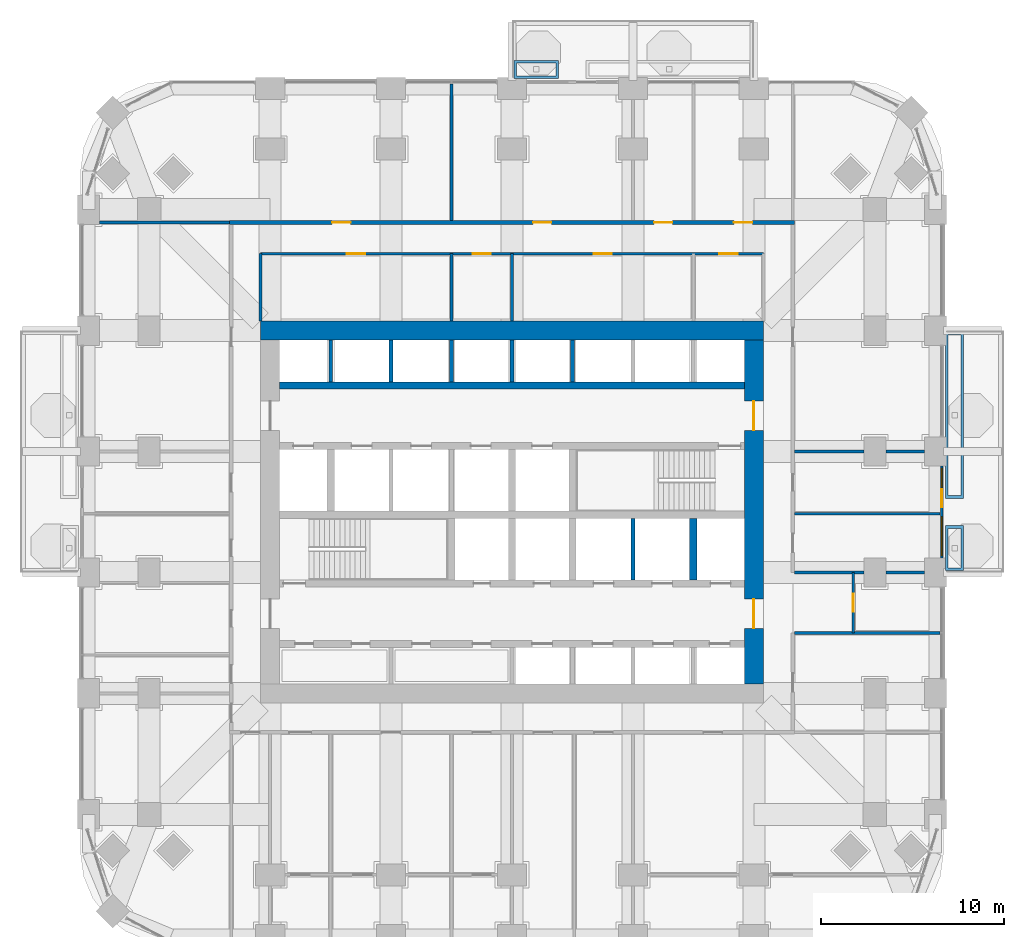
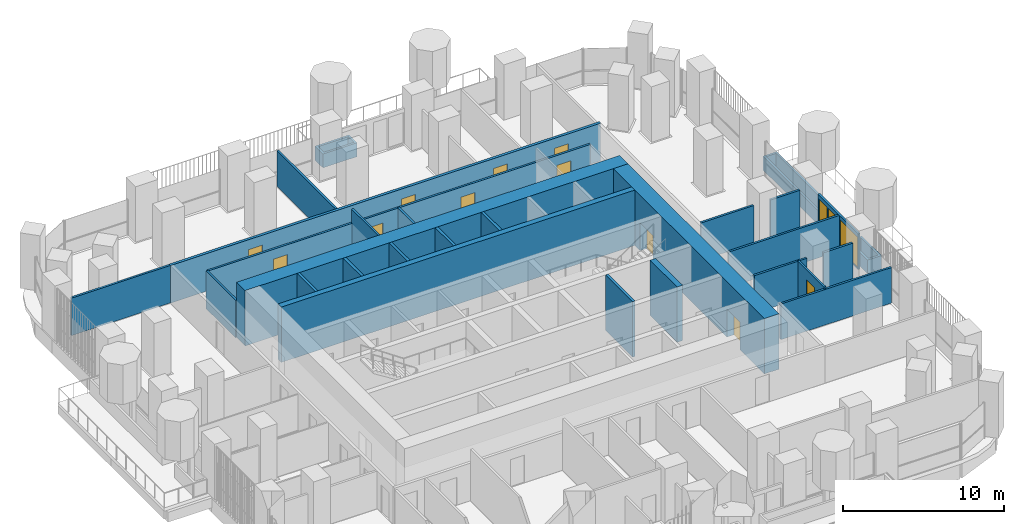
# One storey, part 16 of 22: 28 walls, 12 doors, 2 windows, 14 openings.
"""IFC4 building model written with IfcOpenShell, lengths in metres."""

from ifc_helpers import new_model, si_unit, direction, frame, frame_2d, origin, place, context, subcontext, project, spatial, polyline, rectangle, outline, extrude, material, layer, layer_set, type_object, element, fill, save


model = new_model("IFC4")

# Units and contexts
model_context = context("Model", 3, precision=1e-05, world=origin(), true_north=direction((0.0, 1.0)))
body_context = subcontext(model_context, "Body", "Model", "MODEL_VIEW")
ifc_project = project(units=[si_unit("LENGTHUNIT", "METRE"), si_unit("AREAUNIT", "SQUARE_METRE"), si_unit("VOLUMEUNIT", "CUBIC_METRE"), si_unit("PLANEANGLEUNIT", "RADIAN"), si_unit("MASSUNIT", "GRAM", prefix="KILO")], contexts=[model_context])

# Site, building, storey
site_placement = place(None, origin())
site = spatial("IfcSite", under=ifc_project, at=site_placement, CompositionType="ELEMENT")
building_placement = place(site_placement, origin())
building = spatial("IfcBuilding", under=site, at=building_placement, Name="Cobogo Forest Laboratory Tower", CompositionType="ELEMENT")
storey_placement = place(building_placement, frame((0.0, 0.0, 94.800048828125)))
storey = spatial("IfcBuildingStorey", under=building, at=storey_placement, Name="L21", CompositionType="ELEMENT", Elevation=94.800048828125)

# Walls
ifc_material_1 = material(Name="Concrete HA-50 (C50/60)", Category="concrete")
ifc_layer_1 = layer(ifc_material_1, 0.39990234375)
ifc_layer_set_1 = layer_set([ifc_layer_1], Name="CI400 core inner wall 400")
wall_type_1 = type_object("IfcWallType", Name="CI400 core inner wall 400", PredefinedType="SHEAR", material=ifc_layer_set_1)
wall_1_placement = place(storey_placement, frame((13.72509765625, 30.0, 0.0), z_axis=(0.0, 0.0, 1.0), x_axis=(1.0, 0.0, 0.0)))
element("IfcWall", 1, at=wall_1_placement, inside=storey, type_object=wall_type_1, Name="Core wall CI-30.0 L21", PredefinedType="SHEAR", context=body_context, shape_type="SweptSolid", body=[
    extrude(rectangle(XDim=25.349853515625, YDim=0.39990234375, at=frame_2d((12.6748046875, 0.0))), origin(), (0.0, 0.0, 1.0), 4.199951171875),
])
wall_2_placement = place(storey_placement, frame((36.300048828125, 19.39990234375, 0.0), z_axis=(0.0, 0.0, 1.0), x_axis=(0.0, 1.0, 0.0)))
element("IfcWall", 2, at=wall_2_placement, inside=storey, type_object=wall_type_1, Name="Core wall CX-36.3 L21", PredefinedType="SHEAR", context=body_context, shape_type="SweptSolid", body=[
    extrude(rectangle(XDim=3.35009765625, YDim=0.39990234375, at=frame_2d((1.675048828125, 0.0))), origin(), (0.0, 0.0, 1.0), 4.199951171875),
])

# Wall, openings, doors
ifc_layer_2 = layer(ifc_material_1, 1.050048828125)
ifc_layer_set_2 = layer_set([ifc_layer_2], Name="CW1050 core outer wall 1050")
wall_type_2 = type_object("IfcWallType", Name="CW1050 core outer wall 1050", PredefinedType="SHEAR", material=ifc_layer_set_2)
wall_3_placement = place(storey_placement, frame((39.60009765625, 13.72509765625, 0.0), z_axis=(0.0, 0.0, 1.0), x_axis=(0.0, 1.0, 0.0)))
wall_3 = element("IfcWall", 3, at=wall_3_placement, inside=storey, type_object=wall_type_2, Name="Core wall CO-E L21", PredefinedType="SHEAR", context=body_context, shape_type="SweptSolid", body=[
    extrude(rectangle(XDim=18.75, YDim=1.050048828125, at=frame_2d((9.375, 0.0))), origin(), (0.0, 0.0, 1.0), 4.199951171875),
])
opening_1_placement = place(wall_3_placement, frame((3.02490234375, 0.0, 0.0)))
opening_1 = element("IfcOpeningElement", 4, at=opening_1_placement, cuts=wall_3, Name="Opening L21-D22", PredefinedType="OPENING", context=body_context, shape_type="SweptSolid", body=[
    extrude(rectangle(XDim=1.60009765625, YDim=2.10009765625, at=frame_2d((0.800048828125, 1.050048828125))), frame((0.0, 0.534912109375, 0.0), z_axis=(0.0, -1.0, 0.0), x_axis=(1.0, 0.0, 0.0)), (0.0, 0.0, 1.0), 1.070068359375),
])
opening_2_placement = place(wall_3_placement, frame((13.824951171875, 0.0, 0.0)))
opening_2 = element("IfcOpeningElement", 5, at=opening_2_placement, cuts=wall_3, Name="Opening L21-D35", PredefinedType="OPENING", context=body_context, shape_type="SweptSolid", body=[
    extrude(rectangle(XDim=1.60009765625, YDim=2.10009765625, at=frame_2d((0.800048828125, 1.050048828125))), frame((0.0, 0.534912109375, 0.0), z_axis=(0.0, -1.0, 0.0), x_axis=(1.0, 0.0, 0.0)), (0.0, 0.0, 1.0), 1.070068359375),
])
ifc_material_2 = material(Name="Steel fire door", Category="steel")
door_type_1 = type_object("IfcDoorType", Name="DS2 protected lobby door pair 1600 EI2 60", OperationType="DOUBLE_DOOR_DOUBLE_SWING", PredefinedType="DOOR", material=ifc_material_2)
door_1_placement = place(opening_1_placement, origin())
door_1 = element("IfcDoor", 6, at=door_1_placement, inside=storey, type_object=door_type_1, Name="Door L21-CO-E-S", OperationType="DOUBLE_DOOR_DOUBLE_SWING", OverallHeight=2.10009765625, OverallWidth=1.60009765625, PredefinedType="DOOR", context=body_context, shape_type="SweptSolid", body=[
    extrude(rectangle(XDim=1.60009765625, YDim=2.10009765625, at=frame_2d((0.800048828125, 1.050048828125))), frame((0.0, 0.02490234375, 0.0), z_axis=(0.0, -1.0, 0.0), x_axis=(1.0, 0.0, 0.0)), (0.0, 0.0, 1.0), 0.050048828125),
])
fill(opening_1, door_1)
door_2_placement = place(opening_2_placement, origin())
door_2 = element("IfcDoor", 7, at=door_2_placement, inside=storey, type_object=door_type_1, Name="Door L21-CO-E-N", OperationType="DOUBLE_DOOR_DOUBLE_SWING", OverallHeight=2.10009765625, OverallWidth=1.60009765625, PredefinedType="DOOR", context=body_context, shape_type="SweptSolid", body=[
    extrude(rectangle(XDim=1.60009765625, YDim=2.10009765625, at=frame_2d((0.800048828125, 1.050048828125))), frame((0.0, 0.02490234375, 0.0), z_axis=(0.0, -1.0, 0.0), x_axis=(1.0, 0.0, 0.0)), (0.0, 0.0, 1.0), 0.050048828125),
])
fill(opening_2, door_2)

# Wall
wall_4_placement = place(storey_placement, frame((40.125, 33.0, 0.0), z_axis=(0.0, 0.0, 1.0), x_axis=(-1.0, 0.0, 0.0)))
element("IfcWall", 8, at=wall_4_placement, inside=storey, type_object=wall_type_2, Name="Core wall CO-N L21", PredefinedType="SHEAR", context=body_context, shape_type="SweptSolid", body=[
    extrude(rectangle(XDim=27.449951171875, YDim=1.050048828125, at=frame_2d((13.72509765625, 0.0))), origin(), (0.0, 0.0, 1.0), 4.199951171875),
])

# Wall, openings, door, windows
ifc_material_3 = material(Name="Aluminium framed glazed screen", Category="aluminium")
ifc_layer_3 = layer(ifc_material_3, 0.14990234375)
ifc_layer_set_3 = layer_set([ifc_layer_3], Name="GS1 glazed door screen 150")
wall_type_3 = type_object("IfcWallType", Name="GS1 glazed door screen 150", PredefinedType="SOLIDWALL", material=ifc_layer_set_3)
wall_5_placement = place(storey_placement, frame((49.85009765625, 20.60009765625, 0.0), z_axis=(0.0, 0.0, 1.0), x_axis=(0.0, 1.0, 0.0)))
wall_5 = element("IfcWall", 9, at=wall_5_placement, inside=storey, type_object=wall_type_3, Name="Door screen BAL-E1 L21", PredefinedType="SOLIDWALL", context=body_context, shape_type="SweptSolid", body=[
    extrude(rectangle(XDim=5.0, YDim=0.14990234375, at=frame_2d((2.5, 0.0))), origin(), (0.0, 0.0, 1.0), 2.699951171875),
])
opening_3_placement = place(wall_5_placement, frame((2.75, 0.0, 0.0)))
opening_3 = element("IfcOpeningElement", 10, at=opening_3_placement, cuts=wall_5, Name="Opening L21-D30", PredefinedType="OPENING", context=body_context, shape_type="SweptSolid", body=[
    extrude(rectangle(XDim=1.0, YDim=2.39990234375, at=frame_2d((0.5, 1.199951171875))), frame((0.0, 0.0849609375, 0.0), z_axis=(0.0, -1.0, 0.0), x_axis=(1.0, 0.0, 0.0)), (0.0, 0.0, 1.0), 0.169921875),
])
opening_4_placement = place(wall_5_placement, frame((0.10009765625, 0.0, 0.10009765625)))
opening_4 = element("IfcOpeningElement", 11, at=opening_4_placement, cuts=wall_5, Name="Opening L21-W04", PredefinedType="OPENING", context=body_context, shape_type="SweptSolid", body=[
    extrude(rectangle(XDim=2.14990234375, YDim=2.300048828125, at=frame_2d((1.074951171875, 1.14990234375))), frame((0.0, 0.0849609375, 0.0), z_axis=(0.0, -1.0, 0.0), x_axis=(1.0, 0.0, 0.0)), (0.0, 0.0, 1.0), 0.169921875),
])
opening_5_placement = place(wall_5_placement, frame((3.85009765625, 0.0, 0.10009765625)))
opening_5 = element("IfcOpeningElement", 12, at=opening_5_placement, cuts=wall_5, Name="Opening L21-W06", PredefinedType="OPENING", context=body_context, shape_type="SweptSolid", body=[
    extrude(rectangle(XDim=1.050048828125, YDim=2.300048828125, at=frame_2d((0.52490234375, 1.14990234375))), frame((0.0, 0.0849609375, 0.0), z_axis=(0.0, -1.0, 0.0), x_axis=(1.0, 0.0, 0.0)), (0.0, 0.0, 1.0), 0.169921875),
])
ifc_material_4 = material(Name="Aluminium glazed door", Category="aluminium")
door_type_2 = type_object("IfcDoorType", Name="DB1 balcony door 1000 glazed", OperationType="SINGLE_SWING_LEFT", PredefinedType="DOOR", material=ifc_material_4)
door_3_placement = place(opening_3_placement, origin())
door_3 = element("IfcDoor", 13, at=door_3_placement, inside=storey, type_object=door_type_2, Name="Door L21-BAL-E1", OperationType="SINGLE_SWING_RIGHT", OverallHeight=2.39990234375, OverallWidth=1.0, PredefinedType="DOOR", context=body_context, shape_type="SweptSolid", body=[
    extrude(rectangle(XDim=1.0, YDim=2.39990234375, at=frame_2d((0.5, 1.199951171875))), frame((0.0, 0.02490234375, 0.0), z_axis=(0.0, -1.0, 0.0), x_axis=(1.0, 0.0, 0.0)), (0.0, 0.0, 1.0), 0.050048828125),
])
fill(opening_3, door_3)
ifc_material_5 = material(Name="Aluminium framed glazing", Category="aluminium")
window_type_1 = type_object("IfcWindowType", Name="WG13 fixed glazed light 2150x2300", PartitioningType="SINGLE_PANEL", PredefinedType="WINDOW", material=ifc_material_5)
window_1_placement = place(opening_4_placement, origin())
window_1 = element("IfcWindow", 14, at=window_1_placement, inside=storey, type_object=window_type_1, Name="Window L21-BAL-E1-1", OverallHeight=2.300048828125, OverallWidth=2.14990234375, PartitioningType="SINGLE_PANEL", PredefinedType="WINDOW", context=body_context, shape_type="SweptSolid", body=[
    extrude(rectangle(XDim=2.14990234375, YDim=2.300048828125, at=frame_2d((1.074951171875, 1.14990234375))), frame((0.0, 0.030029296875, 0.0), z_axis=(0.0, -1.0, 0.0), x_axis=(1.0, 0.0, 0.0)), (0.0, 0.0, 1.0), 0.06005859375),
])
fill(opening_4, window_1)
window_type_2 = type_object("IfcWindowType", Name="WG14 fixed glazed light 1050x2300", PartitioningType="SINGLE_PANEL", PredefinedType="WINDOW", material=ifc_material_5)
window_2_placement = place(opening_5_placement, origin())
window_2 = element("IfcWindow", 15, at=window_2_placement, inside=storey, type_object=window_type_2, Name="Window L21-BAL-E1-2", OverallHeight=2.300048828125, OverallWidth=1.050048828125, PartitioningType="SINGLE_PANEL", PredefinedType="WINDOW", context=body_context, shape_type="SweptSolid", body=[
    extrude(rectangle(XDim=1.050048828125, YDim=2.300048828125, at=frame_2d((0.52490234375, 1.14990234375))), frame((0.0, 0.030029296875, 0.0), z_axis=(0.0, -1.0, 0.0), x_axis=(1.0, 0.0, 0.0)), (0.0, 0.0, 1.0), 0.06005859375),
])
fill(opening_5, window_2)

# Wall, openings, doors
ifc_material_6 = material(Name="Gypsum board on steel studs", Category="steel")
ifc_layer_4 = layer(ifc_material_6, 0.14990234375)
ifc_layer_set_4 = layer_set([ifc_layer_4], Name="PT1 laboratory partition 150")
wall_type_4 = type_object("IfcWallType", Name="PT1 laboratory partition 150", PredefinedType="PARTITIONING", material=ifc_layer_set_4)
wall_6_placement = place(storey_placement, frame((12.675048828125, 37.199951171875, 0.0), z_axis=(0.0, 0.0, 1.0), x_axis=(1.0, 0.0, 0.0)))
wall_6 = element("IfcWall", 16, at=wall_6_placement, inside=storey, type_object=wall_type_4, Name="Partition CSTRIP-N L21", PredefinedType="PARTITIONING", context=body_context, shape_type="SweptSolid", body=[
    extrude(rectangle(XDim=27.449951171875, YDim=0.14990234375, at=frame_2d((13.72509765625, 0.0))), origin(), (0.0, 0.0, 1.0), 2.849853515625),
])
opening_6_placement = place(wall_6_placement, frame((4.71240234375, 0.0, 0.0)))
opening_6 = element("IfcOpeningElement", 17, at=opening_6_placement, cuts=wall_6, Name="Opening L21-D38", PredefinedType="OPENING", context=body_context, shape_type="SweptSolid", body=[
    extrude(rectangle(XDim=1.0, YDim=2.10009765625, at=frame_2d((0.5, 1.050048828125))), frame((0.0, 0.0849609375, 0.0), z_axis=(0.0, -1.0, 0.0), x_axis=(1.0, 0.0, 0.0)), (0.0, 0.0, 1.0), 0.169921875),
])
opening_7_placement = place(wall_6_placement, frame((11.574951171875, 0.0, 0.0)))
opening_7 = element("IfcOpeningElement", 18, at=opening_7_placement, cuts=wall_6, Name="Opening L21-D39", PredefinedType="OPENING", context=body_context, shape_type="SweptSolid", body=[
    extrude(rectangle(XDim=1.0, YDim=2.10009765625, at=frame_2d((0.5, 1.050048828125))), frame((0.0, 0.0849609375, 0.0), z_axis=(0.0, -1.0, 0.0), x_axis=(1.0, 0.0, 0.0)), (0.0, 0.0, 1.0), 0.169921875),
])
opening_8_placement = place(wall_6_placement, frame((18.175048828125, 0.0, 0.0)))
opening_8 = element("IfcOpeningElement", 19, at=opening_8_placement, cuts=wall_6, Name="Opening L21-D40", PredefinedType="OPENING", context=body_context, shape_type="SweptSolid", body=[
    extrude(rectangle(XDim=1.0, YDim=2.10009765625, at=frame_2d((0.5, 1.050048828125))), frame((0.0, 0.0849609375, 0.0), z_axis=(0.0, -1.0, 0.0), x_axis=(1.0, 0.0, 0.0)), (0.0, 0.0, 1.0), 0.169921875),
])
opening_9_placement = place(wall_6_placement, frame((25.03759765625, 0.0, 0.0)))
opening_9 = element("IfcOpeningElement", 20, at=opening_9_placement, cuts=wall_6, Name="Opening L21-D41", PredefinedType="OPENING", context=body_context, shape_type="SweptSolid", body=[
    extrude(rectangle(XDim=1.0, YDim=2.10009765625, at=frame_2d((0.5, 1.050048828125))), frame((0.0, 0.0849609375, 0.0), z_axis=(0.0, -1.0, 0.0), x_axis=(1.0, 0.0, 0.0)), (0.0, 0.0, 1.0), 0.169921875),
])
ifc_material_7 = material(Name="Timber fire door", Category="wood")
door_type_3 = type_object("IfcDoorType", Name="FD2 fire door 1000 EI2 30", OperationType="SINGLE_SWING_LEFT", PredefinedType="DOOR", material=ifc_material_7)
door_4_placement = place(opening_6_placement, origin())
door_4 = element("IfcDoor", 21, at=door_4_placement, inside=storey, type_object=door_type_3, Name="Door L21-CSN1", OperationType="SINGLE_SWING_LEFT", OverallHeight=2.10009765625, OverallWidth=1.0, PredefinedType="DOOR", context=body_context, shape_type="SweptSolid", body=[
    extrude(rectangle(XDim=1.0, YDim=2.10009765625, at=frame_2d((0.5, 1.050048828125))), frame((0.0, 0.02490234375, 0.0), z_axis=(0.0, -1.0, 0.0), x_axis=(1.0, 0.0, 0.0)), (0.0, 0.0, 1.0), 0.050048828125),
])
fill(opening_6, door_4)
door_5_placement = place(opening_7_placement, origin())
door_5 = element("IfcDoor", 22, at=door_5_placement, inside=storey, type_object=door_type_3, Name="Door L21-CSN2", OperationType="SINGLE_SWING_LEFT", OverallHeight=2.10009765625, OverallWidth=1.0, PredefinedType="DOOR", context=body_context, shape_type="SweptSolid", body=[
    extrude(rectangle(XDim=1.0, YDim=2.10009765625, at=frame_2d((0.5, 1.050048828125))), frame((0.0, 0.02490234375, 0.0), z_axis=(0.0, -1.0, 0.0), x_axis=(1.0, 0.0, 0.0)), (0.0, 0.0, 1.0), 0.050048828125),
])
fill(opening_7, door_5)
door_6_placement = place(opening_8_placement, origin())
door_6 = element("IfcDoor", 23, at=door_6_placement, inside=storey, type_object=door_type_3, Name="Door L21-CSN3", OperationType="SINGLE_SWING_RIGHT", OverallHeight=2.10009765625, OverallWidth=1.0, PredefinedType="DOOR", context=body_context, shape_type="SweptSolid", body=[
    extrude(rectangle(XDim=1.0, YDim=2.10009765625, at=frame_2d((0.5, 1.050048828125))), frame((0.0, 0.02490234375, 0.0), z_axis=(0.0, -1.0, 0.0), x_axis=(1.0, 0.0, 0.0)), (0.0, 0.0, 1.0), 0.050048828125),
])
fill(opening_8, door_6)
door_7_placement = place(opening_9_placement, origin())
door_7 = element("IfcDoor", 24, at=door_7_placement, inside=storey, type_object=door_type_3, Name="Door L21-CSN4", OperationType="SINGLE_SWING_RIGHT", OverallHeight=2.10009765625, OverallWidth=1.0, PredefinedType="DOOR", context=body_context, shape_type="SweptSolid", body=[
    extrude(rectangle(XDim=1.0, YDim=2.10009765625, at=frame_2d((0.5, 1.050048828125))), frame((0.0, 0.02490234375, 0.0), z_axis=(0.0, -1.0, 0.0), x_axis=(1.0, 0.0, 0.0)), (0.0, 0.0, 1.0), 0.050048828125),
])
fill(opening_9, door_7)

# Walls
wall_7_placement = place(storey_placement, frame((12.675048828125, 33.52490234375, 0.0), z_axis=(0.0, 0.0, 1.0), x_axis=(0.0, 1.0, 0.0)))
element("IfcWall", 25, at=wall_7_placement, inside=storey, type_object=wall_type_4, Name="Partition CSTRIP-NW L21", PredefinedType="PARTITIONING", context=body_context, shape_type="SweptSolid", body=[
    extrude(rectangle(XDim=3.675048828125, YDim=0.14990234375, at=frame_2d((1.83740234375, 0.0))), origin(), (0.0, 0.0, 1.0), 2.849853515625),
])
wall_8_placement = place(storey_placement, frame((23.10009765625, 33.52490234375, 0.0), z_axis=(0.0, 0.0, 1.0), x_axis=(0.0, 1.0, 0.0)))
element("IfcWall", 26, at=wall_8_placement, inside=storey, type_object=wall_type_4, Name="Partition CSTRIP-N23.1 L21", PredefinedType="PARTITIONING", context=body_context, shape_type="SweptSolid", body=[
    extrude(rectangle(XDim=3.675048828125, YDim=0.14990234375, at=frame_2d((1.83740234375, 0.0))), origin(), (0.0, 0.0, 1.0), 3.89990234375),
])
wall_9_placement = place(storey_placement, frame((26.39990234375, 33.52490234375, 0.0), z_axis=(0.0, 0.0, 1.0), x_axis=(0.0, 1.0, 0.0)))
element("IfcWall", 27, at=wall_9_placement, inside=storey, type_object=wall_type_4, Name="Partition CSTRIP-N26.4 L21", PredefinedType="PARTITIONING", context=body_context, shape_type="SweptSolid", body=[
    extrude(rectangle(XDim=3.675048828125, YDim=0.14990234375, at=frame_2d((1.83740234375, 0.0))), origin(), (0.0, 0.0, 1.0), 2.849853515625),
])
wall_10_placement = place(storey_placement, frame((3.89990234375, 38.89990234375, 0.0), z_axis=(0.0, 0.0, 1.0), x_axis=(1.0, 0.0, 0.0)))
element("IfcWall", 28, at=wall_10_placement, inside=storey, type_object=wall_type_4, Name="Partition PW-NW L21", PredefinedType="PARTITIONING", context=body_context, shape_type="SweptSolid", body=[
    extrude(rectangle(XDim=7.0751953125, YDim=0.14990234375, at=frame_2d((3.53759765625, 0.0))), origin(), (0.0, 0.0, 1.0), 2.849853515625),
])

# Wall, opening, door
wall_11_placement = place(storey_placement, frame((45.02490234375, 16.5, 0.0), z_axis=(0.0, 0.0, 1.0), x_axis=(0.0, 1.0, 0.0)))
wall_11 = element("IfcWall", 29, at=wall_11_placement, inside=storey, type_object=wall_type_4, Name="Partition NODE-E-1 L21", PredefinedType="PARTITIONING", context=body_context, shape_type="SweptSolid", body=[
    extrude(rectangle(XDim=3.300048828125, YDim=0.14990234375, at=frame_2d((1.64990234375, 0.0))), origin(), (0.0, 0.0, 1.0), 2.849853515625),
])
opening_10_placement = place(wall_11_placement, frame((1.14990234375, 0.0, 0.0)))
opening_10 = element("IfcOpeningElement", 30, at=opening_10_placement, cuts=wall_11, Name="Opening L21-D23", PredefinedType="OPENING", context=body_context, shape_type="SweptSolid", body=[
    extrude(rectangle(XDim=1.0, YDim=2.10009765625, at=frame_2d((0.5, 1.050048828125))), frame((0.0, 0.0849609375, 0.0), z_axis=(0.0, -1.0, 0.0), x_axis=(1.0, 0.0, 0.0)), (0.0, 0.0, 1.0), 0.169921875),
])
door_8_placement = place(opening_10_placement, origin())
door_8 = element("IfcDoor", 31, at=door_8_placement, inside=storey, type_object=door_type_3, Name="Door L21-E2", OperationType="SINGLE_SWING_LEFT", OverallHeight=2.10009765625, OverallWidth=1.0, PredefinedType="DOOR", context=body_context, shape_type="SweptSolid", body=[
    extrude(rectangle(XDim=1.0, YDim=2.10009765625, at=frame_2d((0.5, 1.050048828125))), frame((0.0, 0.02490234375, 0.0), z_axis=(0.0, -1.0, 0.0), x_axis=(1.0, 0.0, 0.0)), (0.0, 0.0, 1.0), 0.050048828125),
])
fill(opening_10, door_8)

# Walls
wall_12_placement = place(storey_placement, frame((49.77001953125, 23.0, 0.0), z_axis=(0.0, 0.0, 1.0), x_axis=(-1.0, 0.0, 0.0)))
element("IfcWall", 32, at=wall_12_placement, inside=storey, type_object=wall_type_4, Name="Partition SVC-E1-1 L21", PredefinedType="PARTITIONING", context=body_context, shape_type="SweptSolid", body=[
    extrude(rectangle(XDim=7.945068359375, YDim=0.14990234375, at=frame_2d((3.97265625, 0.0))), origin(), (0.0, 0.0, 1.0), 2.699951171875),
])
wall_13_placement = place(storey_placement, frame((48.89990234375, 26.39990234375, 0.0), z_axis=(0.0, 0.0, 1.0), x_axis=(-1.0, 0.0, 0.0)))
element("IfcWall", 33, at=wall_13_placement, inside=storey, type_object=wall_type_4, Name="Partition SVC-E2-1 L21", PredefinedType="PARTITIONING", context=body_context, shape_type="SweptSolid", body=[
    extrude(rectangle(XDim=2.099853515625, YDim=0.14990234375, at=frame_2d((1.0498046875, 0.0))), origin(), (0.0, 0.0, 1.0), 2.849853515625),
])
wall_14_placement = place(storey_placement, frame((45.60009765625, 26.39990234375, 0.0), z_axis=(0.0, 0.0, 1.0), x_axis=(-1.0, 0.0, 0.0)))
element("IfcWall", 34, at=wall_14_placement, inside=storey, type_object=wall_type_4, Name="Partition SVC-E2-2 L21", PredefinedType="PARTITIONING", context=body_context, shape_type="SweptSolid", body=[
    extrude(rectangle(XDim=3.775146484375, YDim=0.14990234375, at=frame_2d((1.8876953125, 0.0))), origin(), (0.0, 0.0, 1.0), 2.849853515625),
])
wall_15_placement = place(storey_placement, frame((49.77001953125, 16.5, 0.0), z_axis=(0.0, 0.0, 1.0), x_axis=(-1.0, 0.0, 0.0)))
element("IfcWall", 35, at=wall_15_placement, inside=storey, type_object=wall_type_4, Name="Partition CUT-E16.5-1 L21", PredefinedType="PARTITIONING", context=body_context, shape_type="SweptSolid", body=[
    extrude(rectangle(XDim=7.945068359375, YDim=0.14990234375, at=frame_2d((3.97265625, 0.0))), origin(), (0.0, 0.0, 1.0), 2.699951171875),
])
wall_16_placement = place(storey_placement, frame((48.89990234375, 19.800048828125, 0.0), z_axis=(0.0, 0.0, 1.0), x_axis=(-1.0, 0.0, 0.0)))
element("IfcWall", 36, at=wall_16_placement, inside=storey, type_object=wall_type_4, Name="Partition CUT-E19.8-1 L21", PredefinedType="PARTITIONING", context=body_context, shape_type="SweptSolid", body=[
    extrude(rectangle(XDim=2.099853515625, YDim=0.14990234375, at=frame_2d((1.0498046875, 0.0))), origin(), (0.0, 0.0, 1.0), 2.849853515625),
])
wall_17_placement = place(storey_placement, frame((45.60009765625, 19.800048828125, 0.0), z_axis=(0.0, 0.0, 1.0), x_axis=(-1.0, 0.0, 0.0)))
element("IfcWall", 37, at=wall_17_placement, inside=storey, type_object=wall_type_4, Name="Partition CUT-E19.8-2 L21", PredefinedType="PARTITIONING", context=body_context, shape_type="SweptSolid", body=[
    extrude(rectangle(XDim=3.775146484375, YDim=0.14990234375, at=frame_2d((1.8876953125, 0.0))), origin(), (0.0, 0.0, 1.0), 2.849853515625),
])
wall_18_placement = place(storey_placement, frame((23.10009765625, 46.469970703125, 0.0), z_axis=(0.0, 0.0, 1.0), x_axis=(0.0, -1.0, 0.0)))
element("IfcWall", 38, at=wall_18_placement, inside=storey, type_object=wall_type_4, Name="Partition CUT-N23.1-1 L21", PredefinedType="PARTITIONING", context=body_context, shape_type="SweptSolid", body=[
    extrude(rectangle(XDim=7.469970703125, YDim=0.14990234375, at=frame_2d((3.73486328125, 0.0))), origin(), (0.0, 0.0, 1.0), 2.699951171875),
])

# Wall, openings, doors
ifc_layer_5 = layer(ifc_material_6, 0.199951171875)
ifc_layer_set_5 = layer_set([ifc_layer_5], Name="PT2 fire-rated corridor partition 200")
wall_type_5 = type_object("IfcWallType", Name="PT2 fire-rated corridor partition 200", PredefinedType="PARTITIONING", material=ifc_layer_set_5)
wall_19_placement = place(storey_placement, frame((10.97509765625, 38.89990234375, 0.0), z_axis=(0.0, 0.0, 1.0), x_axis=(1.0, 0.0, 0.0)))
wall_19 = element("IfcWall", 39, at=wall_19_placement, inside=storey, type_object=wall_type_5, Name="Partition CORR-N L21", PredefinedType="PARTITIONING", context=body_context, shape_type="SweptSolid", body=[
    extrude(rectangle(XDim=30.849853515625, YDim=0.199951171875, at=frame_2d((15.4248046875, 0.0))), origin(), (0.0, 0.0, 1.0), 2.849853515625),
])
opening_11_placement = place(wall_19_placement, frame((5.612548828125, 0.0, 0.0)))
opening_11 = element("IfcOpeningElement", 40, at=opening_11_placement, cuts=wall_19, Name="Opening L21-D42", PredefinedType="OPENING", context=body_context, shape_type="SweptSolid", body=[
    extrude(rectangle(XDim=1.0, YDim=2.10009765625, at=frame_2d((0.5, 1.050048828125))), frame((0.0, 0.10986328125, 0.0), z_axis=(0.0, -1.0, 0.0), x_axis=(1.0, 0.0, 0.0)), (0.0, 0.0, 1.0), 0.219970703125),
])
opening_12_placement = place(wall_19_placement, frame((16.574951171875, 0.0, 0.0)))
opening_12 = element("IfcOpeningElement", 41, at=opening_12_placement, cuts=wall_19, Name="Opening L21-D43", PredefinedType="OPENING", context=body_context, shape_type="SweptSolid", body=[
    extrude(rectangle(XDim=1.0, YDim=2.10009765625, at=frame_2d((0.5, 1.050048828125))), frame((0.0, 0.10986328125, 0.0), z_axis=(0.0, -1.0, 0.0), x_axis=(1.0, 0.0, 0.0)), (0.0, 0.0, 1.0), 0.219970703125),
])
opening_13_placement = place(wall_19_placement, frame((23.175048828125, 0.0, 0.0)))
opening_13 = element("IfcOpeningElement", 42, at=opening_13_placement, cuts=wall_19, Name="Opening L21-D44", PredefinedType="OPENING", context=body_context, shape_type="SweptSolid", body=[
    extrude(rectangle(XDim=1.0, YDim=2.10009765625, at=frame_2d((0.5, 1.050048828125))), frame((0.0, 0.10986328125, 0.0), z_axis=(0.0, -1.0, 0.0), x_axis=(1.0, 0.0, 0.0)), (0.0, 0.0, 1.0), 0.219970703125),
])
opening_14_placement = place(wall_19_placement, frame((27.53759765625, 0.0, 0.0)))
opening_14 = element("IfcOpeningElement", 43, at=opening_14_placement, cuts=wall_19, Name="Opening L21-D45", PredefinedType="OPENING", context=body_context, shape_type="SweptSolid", body=[
    extrude(rectangle(XDim=1.0, YDim=2.10009765625, at=frame_2d((0.5, 1.050048828125))), frame((0.0, 0.10986328125, 0.0), z_axis=(0.0, -1.0, 0.0), x_axis=(1.0, 0.0, 0.0)), (0.0, 0.0, 1.0), 0.219970703125),
])
door_type_4 = type_object("IfcDoorType", Name="FD1 fire door 1000 EI2 60", OperationType="SINGLE_SWING_LEFT", PredefinedType="DOOR", material=ifc_material_2)
door_9_placement = place(opening_13_placement, origin())
door_9 = element("IfcDoor", 44, at=door_9_placement, inside=storey, type_object=door_type_4, Name="Door L21-N3", OperationType="SINGLE_SWING_RIGHT", OverallHeight=2.10009765625, OverallWidth=1.0, PredefinedType="DOOR", context=body_context, shape_type="SweptSolid", body=[
    extrude(rectangle(XDim=1.0, YDim=2.10009765625, at=frame_2d((0.5, 1.050048828125))), frame((0.0, 0.02490234375, 0.0), z_axis=(0.0, -1.0, 0.0), x_axis=(1.0, 0.0, 0.0)), (0.0, 0.0, 1.0), 0.050048828125),
])
fill(opening_13, door_9)
door_10_placement = place(opening_11_placement, origin())
door_10 = element("IfcDoor", 45, at=door_10_placement, inside=storey, type_object=door_type_3, Name="Door L21-N1", OperationType="SINGLE_SWING_LEFT", OverallHeight=2.10009765625, OverallWidth=1.0, PredefinedType="DOOR", context=body_context, shape_type="SweptSolid", body=[
    extrude(rectangle(XDim=1.0, YDim=2.10009765625, at=frame_2d((0.5, 1.050048828125))), frame((0.0, 0.02490234375, 0.0), z_axis=(0.0, -1.0, 0.0), x_axis=(1.0, 0.0, 0.0)), (0.0, 0.0, 1.0), 0.050048828125),
])
fill(opening_11, door_10)
door_11_placement = place(opening_12_placement, origin())
door_11 = element("IfcDoor", 46, at=door_11_placement, inside=storey, type_object=door_type_3, Name="Door L21-N2", OperationType="SINGLE_SWING_RIGHT", OverallHeight=2.10009765625, OverallWidth=1.0, PredefinedType="DOOR", context=body_context, shape_type="SweptSolid", body=[
    extrude(rectangle(XDim=1.0, YDim=2.10009765625, at=frame_2d((0.5, 1.050048828125))), frame((0.0, 0.02490234375, 0.0), z_axis=(0.0, -1.0, 0.0), x_axis=(1.0, 0.0, 0.0)), (0.0, 0.0, 1.0), 0.050048828125),
])
fill(opening_12, door_11)
door_12_placement = place(opening_14_placement, origin())
door_12 = element("IfcDoor", 47, at=door_12_placement, inside=storey, type_object=door_type_3, Name="Door L21-N4", OperationType="SINGLE_SWING_RIGHT", OverallHeight=2.10009765625, OverallWidth=1.0, PredefinedType="DOOR", context=body_context, shape_type="SweptSolid", body=[
    extrude(rectangle(XDim=1.0, YDim=2.10009765625, at=frame_2d((0.5, 1.050048828125))), frame((0.0, 0.02490234375, 0.0), z_axis=(0.0, -1.0, 0.0), x_axis=(1.0, 0.0, 0.0)), (0.0, 0.0, 1.0), 0.050048828125),
])
fill(opening_14, door_12)

# Walls
ifc_material_8 = material(Name="Concrete HA-40 (C40/50)", Category="concrete")
ifc_layer_6 = layer(ifc_material_8, 0.14990234375)
ifc_layer_set_6 = layer_set([ifc_layer_6], Name="Planter box 1000x1050")
wall_type_6 = type_object("IfcWallType", Name="Planter box 1000x1050", PredefinedType="USERDEFINED", material=ifc_layer_set_6)
wall_20_placement = place(storey_placement, origin())
element("IfcWall", 48, at=wall_20_placement, inside=storey, type_object=wall_type_6, Name="Planter BAL-E1-1 L21", ObjectType="PLANTER", PredefinedType="USERDEFINED", context=body_context, shape_type="SweptSolid", body=[
    extrude(outline(polyline([(50.050048828125, 19.89990234375), (51.050048828125, 19.89990234375), (51.050048828125, 22.35009765625), (50.050048828125, 22.35009765625), (50.050048828125, 19.89990234375)]), holes=[polyline([(50.199951171875, 20.050048828125), (50.89990234375, 20.050048828125), (50.89990234375, 22.199951171875), (50.199951171875, 22.199951171875), (50.199951171875, 20.050048828125)])]), origin(), (0.0, 0.0, 1.0), 1.050048828125),
])
wall_21_placement = place(storey_placement, origin())
element("IfcWall", 49, at=wall_21_placement, inside=storey, type_object=wall_type_6, Name="Planter BAL-E1-2 L21", ObjectType="PLANTER", PredefinedType="USERDEFINED", context=body_context, shape_type="SweptSolid", body=[
    extrude(outline(polyline([(50.050048828125, 23.85009765625), (51.050048828125, 23.85009765625), (51.050048828125, 32.89990234375), (50.050048828125, 32.89990234375), (50.050048828125, 23.85009765625)]), holes=[polyline([(50.199951171875, 24.0), (50.89990234375, 24.0), (50.89990234375, 32.75), (50.199951171875, 32.75), (50.199951171875, 24.0)])]), origin(), (0.0, 0.0, 1.0), 1.050048828125),
])
wall_22_placement = place(storey_placement, origin())
element("IfcWall", 50, at=wall_22_placement, inside=storey, type_object=wall_type_6, Name="Planter BAL-N1-1 L21", ObjectType="PLANTER", PredefinedType="USERDEFINED", context=body_context, shape_type="SweptSolid", body=[
    extrude(outline(polyline([(26.5, 46.75), (28.949951171875, 46.75), (28.949951171875, 47.75), (26.5, 47.75), (26.5, 46.75)]), holes=[polyline([(26.64990234375, 46.89990234375), (28.800048828125, 46.89990234375), (28.800048828125, 47.60009765625), (26.64990234375, 47.60009765625), (26.64990234375, 46.89990234375)])]), origin(), (0.0, 0.0, 1.0), 1.050048828125),
])
ifc_material_9 = material(Name="Concrete block", Category="concrete")
ifc_layer_7 = layer(ifc_material_9, 0.199951171875)
ifc_layer_set_7 = layer_set([ifc_layer_7], Name="SW200 lift shaft separator 200")
wall_type_7 = type_object("IfcWallType", Name="SW200 lift shaft separator 200", PredefinedType="PARTITIONING", material=ifc_layer_set_7)
for number, where, z_axis, x_axis, name in (
    (51, (16.5, 30.199951171875, 0.0), (0.0, 0.0, 1.0), (0.0, 1.0, 0.0), "Core wall SEP-N1 L21"),
    (52, (19.800048828125, 30.199951171875, 0.0), (0.0, 0.0, 1.0), (0.0, 1.0, 0.0), "Core wall SEP-N2 L21"),
    (53, (23.10009765625, 30.199951171875, 0.0), (0.0, 0.0, 1.0), (0.0, 1.0, 0.0), "Core wall SEP-N3 L21"),
    (54, (26.39990234375, 30.199951171875, 0.0), (0.0, 0.0, 1.0), (0.0, 1.0, 0.0), "Core wall SEP-N4 L21"),
    (55, (29.699951171875, 30.199951171875, 0.0), (0.0, 0.0, 1.0), (0.0, 1.0, 0.0), "Core wall SEP-N5 L21"),
):
    element("IfcWall", number, at=place(storey_placement, frame(where, z_axis=z_axis, x_axis=x_axis)), inside=storey, type_object=wall_type_7, Name=name, PredefinedType="PARTITIONING", context=body_context, shape_type="SweptSolid", body=[
        extrude(rectangle(XDim=2.275146484375, YDim=0.199951171875, at=frame_2d((1.1376953125, 0.0))), origin(), (0.0, 0.0, 1.0), 4.199951171875),
    ])
wall_23_placement = place(storey_placement, frame((33.0, 19.39990234375, 0.0), z_axis=(0.0, 0.0, 1.0), x_axis=(0.0, 1.0, 0.0)))
element("IfcWall", 56, at=wall_23_placement, inside=storey, type_object=wall_type_7, Name="Core wall SEP-M33.0 L21", PredefinedType="PARTITIONING", context=body_context, shape_type="SweptSolid", body=[
    extrude(rectangle(XDim=3.35009765625, YDim=0.199951171875, at=frame_2d((1.675048828125, 0.0))), origin(), (0.0, 0.0, 1.0), 4.199951171875),
])

save(model, "model.ifc")
